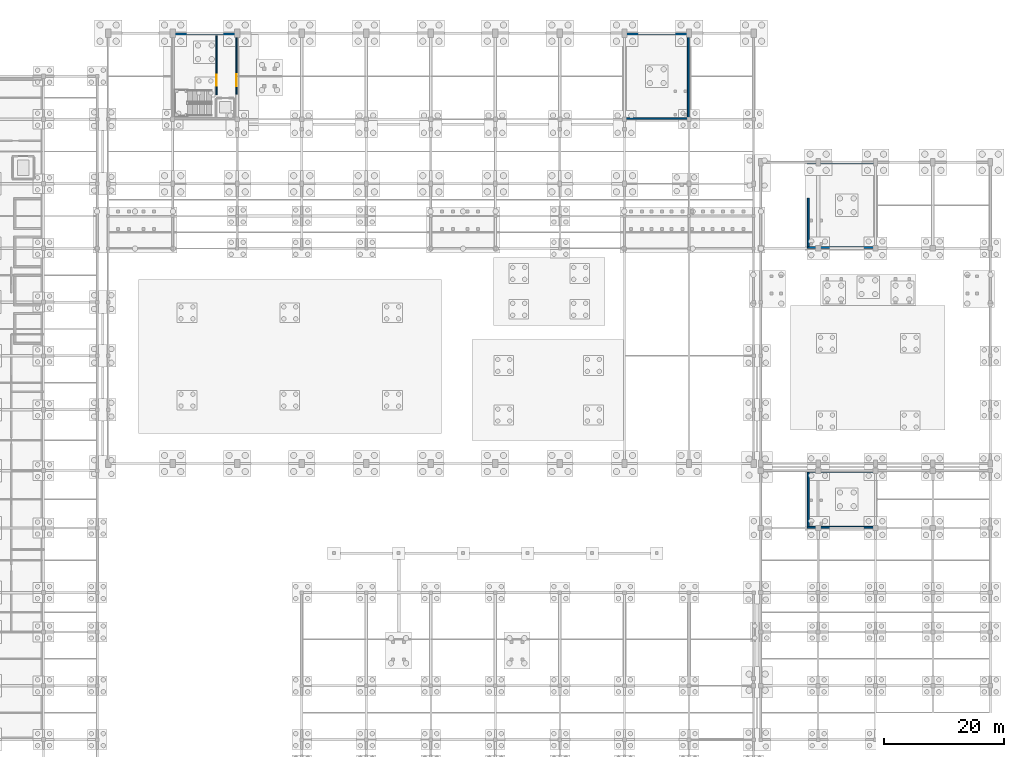
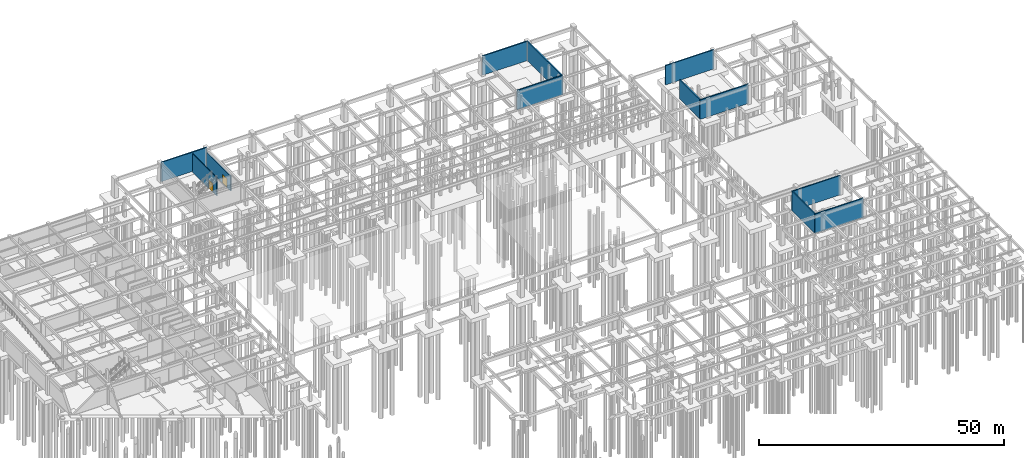
# One storey, part 27 of 33: 12 walls, 2 doors, 2 openings.
"""IFC4 building model written with IfcOpenShell, lengths in metres."""

from ifc_helpers import new_model, si_unit, direction, frame, frame_2d, origin, place, context, subcontext, project, spatial, rectangle, extrude, material, layer, layer_set, type_object, element, fill, save


model = new_model("IFC4")

# Units and contexts
model_context = context("Model", 3, precision=1e-05, world=origin(), true_north=direction((0.0, 1.0)))
body_context = subcontext(model_context, "Body", "Model", "MODEL_VIEW")
ifc_project = project(units=[si_unit("LENGTHUNIT", "METRE"), si_unit("AREAUNIT", "SQUARE_METRE"), si_unit("VOLUMEUNIT", "CUBIC_METRE"), si_unit("PLANEANGLEUNIT", "RADIAN"), si_unit("MASSUNIT", "GRAM", prefix="KILO")], contexts=[model_context])

# Site, building, storey
site_placement = place(None, origin())
site = spatial("IfcSite", under=ifc_project, at=site_placement, CompositionType="ELEMENT")
building_placement = place(site_placement, origin())
building = spatial("IfcBuilding", under=site, at=building_placement, Name="Suirenkawa Promenade Aquatics Centre", CompositionType="ELEMENT")
storey_placement = place(building_placement, frame((0.0, 0.0, -4.800048828125)))
storey = spatial("IfcBuildingStorey", under=building, at=storey_placement, Name="B1", CompositionType="ELEMENT", Elevation=-4.800048828125)

# Walls
ifc_material_1 = material(Name="Concrete M40", Category="concrete")
ifc_layer_1 = layer(ifc_material_1, 0.280029296875, Name="Concrete M40", Category="concrete")
ifc_layer_set_1 = layer_set([ifc_layer_1], Name="Concrete M40")
wall_type_1 = type_object("IfcWallType", Name="WT-CORE-280", PredefinedType="SHEAR", material=ifc_layer_set_1)
wall_1_placement = place(storey_placement, frame((57.60009765625, 122.260009765625, 0.0), z_axis=(0.0, 0.0, 1.0), x_axis=(1.0, 0.0, 0.0)))
element("IfcWall", 1, at=wall_1_placement, inside=storey, type_object=wall_type_1, Name="C3 north core wall WL-CORE-02 W-0111", PredefinedType="SHEAR", context=body_context, shape_type="SweptSolid", body=[
    extrude(rectangle(XDim=10.7998046875, YDim=0.280029296875, at=frame_2d((5.39990234375, 0.0))), origin(), (0.0, 0.0, 1.0), 4.800048828125),
])
for number, where, z_axis, x_axis, name in (
    (2, (133.199951171875, 108.139892578125, 0.0), (0.0, 0.0, 1.0), (1.0, 0.0, 0.0), "C4 south core wall WL-CORE-02 W-0123"),
    (3, (133.199951171875, 122.260009765625, 0.0), (0.0, 0.0, 1.0), (1.0, 0.0, 0.0), "C4 north core wall WL-CORE-02 W-0124"),
):
    element("IfcWall", number, at=place(storey_placement, frame(where, z_axis=z_axis, x_axis=x_axis)), inside=storey, type_object=wall_type_1, Name=name, PredefinedType="SHEAR", context=body_context, shape_type="SweptSolid", body=[
        extrude(rectangle(XDim=10.800048828125, YDim=0.280029296875, at=frame_2d((5.39990234375, 0.0))), origin(), (0.0, 0.0, 1.0), 4.800048828125),
    ])
wall_2_placement = place(storey_placement, frame((143.860107421875, 108.280029296875, 0.0), z_axis=(0.0, 0.0, 1.0), x_axis=(0.0, 1.0, 0.0)))
element("IfcWall", 4, at=wall_2_placement, inside=storey, type_object=wall_type_1, Name="C4 east core wall WL-CORE-02 W-0125", PredefinedType="SHEAR", context=body_context, shape_type="SweptSolid", body=[
    extrude(rectangle(XDim=13.840087890625, YDim=0.280029296875, at=frame_2d((6.919921875, 0.0))), origin(), (0.0, 0.0, 1.0), 4.800048828125),
])
for number, where, z_axis, x_axis, name in (
    (5, (163.800048828125, 86.5400390625, 0.0), (0.0, 0.0, 1.0), (1.0, 0.0, 0.0), "C5 south core wall WL-CORE-02 W-0136"),
    (6, (163.800048828125, 100.659912109375, 0.0), (0.0, 0.0, 1.0), (1.0, 0.0, 0.0), "C5 north core wall WL-CORE-02 W-0137"),
):
    element("IfcWall", number, at=place(storey_placement, frame(where, z_axis=z_axis, x_axis=x_axis)), inside=storey, type_object=wall_type_1, Name=name, PredefinedType="SHEAR", context=body_context, shape_type="SweptSolid", body=[
        extrude(rectangle(XDim=11.39990234375, YDim=0.280029296875, at=frame_2d((5.699951171875, 0.0))), origin(), (0.0, 0.0, 1.0), 4.800048828125),
    ])
wall_3_placement = place(storey_placement, frame((163.93994140625, 86.679931640625, 0.0), z_axis=(0.0, 0.0, 1.0), x_axis=(0.0, 1.0, 0.0)))
element("IfcWall", 7, at=wall_3_placement, inside=storey, type_object=wall_type_1, Name="C5 west core wall WL-CORE-02 W-0138", PredefinedType="SHEAR", context=body_context, shape_type="SweptSolid", body=[
    extrude(rectangle(XDim=8.1201171875, YDim=0.280029296875, at=frame_2d((4.06005859375, 0.0))), origin(), (0.0, 0.0, 1.0), 4.800048828125),
])
for number, where, z_axis, x_axis, name in (
    (8, (163.800048828125, 39.739990234375, 0.0), (0.0, 0.0, 1.0), (1.0, 0.0, 0.0), "C6 south core wall WL-CORE-02 W-0152"),
    (9, (163.800048828125, 49.06005859375, 0.0), (0.0, 0.0, 1.0), (1.0, 0.0, 0.0), "C6 north core wall WL-CORE-02 W-0153"),
):
    element("IfcWall", number, at=place(storey_placement, frame(where, z_axis=z_axis, x_axis=x_axis)), inside=storey, type_object=wall_type_1, Name=name, PredefinedType="SHEAR", context=body_context, shape_type="SweptSolid", body=[
        extrude(rectangle(XDim=11.39990234375, YDim=0.280029296875, at=frame_2d((5.699951171875, 0.0))), origin(), (0.0, 0.0, 1.0), 4.800048828125),
    ])
wall_4_placement = place(storey_placement, frame((163.93994140625, 39.8798828125, 0.0), z_axis=(0.0, 0.0, 1.0), x_axis=(0.0, 1.0, 0.0)))
element("IfcWall", 10, at=wall_4_placement, inside=storey, type_object=wall_type_1, Name="C6 west core wall WL-CORE-02 W-0154", PredefinedType="SHEAR", context=body_context, shape_type="SweptSolid", body=[
    extrude(rectangle(XDim=9.0400390625, YDim=0.280029296875, at=frame_2d((4.52001953125, 0.0))), origin(), (0.0, 0.0, 1.0), 4.800048828125),
])

# Wall, opening, door
ifc_material_2 = material(Name="Concrete M35", Category="concrete")
ifc_layer_2 = layer(ifc_material_2, 0.219970703125, Name="Concrete M35", Category="concrete")
ifc_layer_set_2 = layer_set([ifc_layer_2], Name="Concrete M35")
wall_type_2 = type_object("IfcWallType", Name="WT-LOBBY-220", PredefinedType="PARTITIONING", material=ifc_layer_set_2)
wall_5_placement = place(storey_placement, frame((64.949951171875, 112.10009765625, 0.0), z_axis=(0.0, 0.0, 1.0), x_axis=(0.0, 1.0, 0.0)))
wall_5 = element("IfcWall", 11, at=wall_5_placement, inside=storey, type_object=wall_type_2, Name="Interior wall WL-LOB-01 W-7072", PredefinedType="PARTITIONING", context=body_context, shape_type="SweptSolid", body=[
    extrude(rectangle(XDim=9.89990234375, YDim=0.219970703125, at=frame_2d((4.949951171875, 0.0))), origin(), (0.0, 0.0, 1.0), 4.505126953125),
])
opening_1_placement = place(wall_5_placement, frame((1.5, 0.0, 0.0)))
opening_1 = element("IfcOpeningElement", 12, at=opening_1_placement, cuts=wall_5, Name="Opening ID-02", PredefinedType="OPENING", context=body_context, shape_type="SweptSolid", body=[
    extrude(rectangle(XDim=1.800048828125, YDim=2.199951171875, at=frame_2d((0.89990234375, 1.10009765625))), frame((0.0, 0.119873046875, 0.0), z_axis=(0.0, -1.0, 0.0), x_axis=(1.0, 0.0, 0.0)), (0.0, 0.0, 1.0), 0.239990234375),
])
ifc_material_3 = material(Name="Steel IS 2062 E350 (Grade 350)", Category="steel")
door_type_1 = type_object("IfcDoorType", Name="DT-FD120-1800x2200", OperationType="DOUBLE_DOOR_SINGLE_SWING", PredefinedType="DOOR", material=ifc_material_3)
door_1_placement = place(opening_1_placement, origin())
door_1 = element("IfcDoor", 13, at=door_1_placement, inside=storey, type_object=door_type_1, Name="Interior door ID-02 DR-INT-0048", OperationType="DOUBLE_DOOR_SINGLE_SWING", OverallHeight=2.199951171875, OverallWidth=1.800048828125, PredefinedType="DOOR", context=body_context, shape_type="SweptSolid", body=[
    extrude(rectangle(XDim=1.800048828125, YDim=2.199951171875, at=frame_2d((0.89990234375, 1.10009765625))), frame((0.0, 0.02490234375, 0.0), z_axis=(0.0, -1.0, 0.0), x_axis=(1.0, 0.0, 0.0)), (0.0, 0.0, 1.0), 0.050048828125),
])
fill(opening_1, door_1)

wall_6_placement = place(storey_placement, frame((68.2900390625, 112.199951171875, 0.0), z_axis=(0.0, 0.0, 1.0), x_axis=(0.0, 1.0, 0.0)))
wall_6 = element("IfcWall", 14, at=wall_6_placement, inside=storey, type_object=wall_type_2, Name="Interior wall WL-LOB-01 W-7076", PredefinedType="PARTITIONING", context=body_context, shape_type="SweptSolid", body=[
    extrude(rectangle(XDim=9.75, YDim=0.219970703125, at=frame_2d((4.875, 0.0))), origin(), (0.0, 0.0, 1.0), 3.735107421875),
])
opening_2_placement = place(wall_6_placement, frame((1.35009765625, 0.0, 0.0)))
opening_2 = element("IfcOpeningElement", 15, at=opening_2_placement, cuts=wall_6, Name="Opening ID-01", PredefinedType="OPENING", context=body_context, shape_type="SweptSolid", body=[
    extrude(rectangle(XDim=2.0, YDim=2.199951171875, at=frame_2d((1.0, 1.10009765625))), frame((0.0, 0.119873046875, 0.0), z_axis=(0.0, -1.0, 0.0), x_axis=(1.0, 0.0, 0.0)), (0.0, 0.0, 1.0), 0.239990234375),
])
door_type_2 = type_object("IfcDoorType", Name="DT-FD120-2000x2200", OperationType="DOUBLE_DOOR_SINGLE_SWING", PredefinedType="DOOR", material=ifc_material_3)
door_2_placement = place(opening_2_placement, origin())
door_2 = element("IfcDoor", 16, at=door_2_placement, inside=storey, type_object=door_type_2, Name="Interior door ID-01 DR-INT-0050", OperationType="DOUBLE_DOOR_SINGLE_SWING", OverallHeight=2.199951171875, OverallWidth=2.0, PredefinedType="DOOR", context=body_context, shape_type="SweptSolid", body=[
    extrude(rectangle(XDim=2.0, YDim=2.199951171875, at=frame_2d((1.0, 1.10009765625))), frame((0.0, 0.02490234375, 0.0), z_axis=(0.0, -1.0, 0.0), x_axis=(1.0, 0.0, 0.0)), (0.0, 0.0, 1.0), 0.050048828125),
])
fill(opening_2, door_2)

save(model, "model.ifc")
